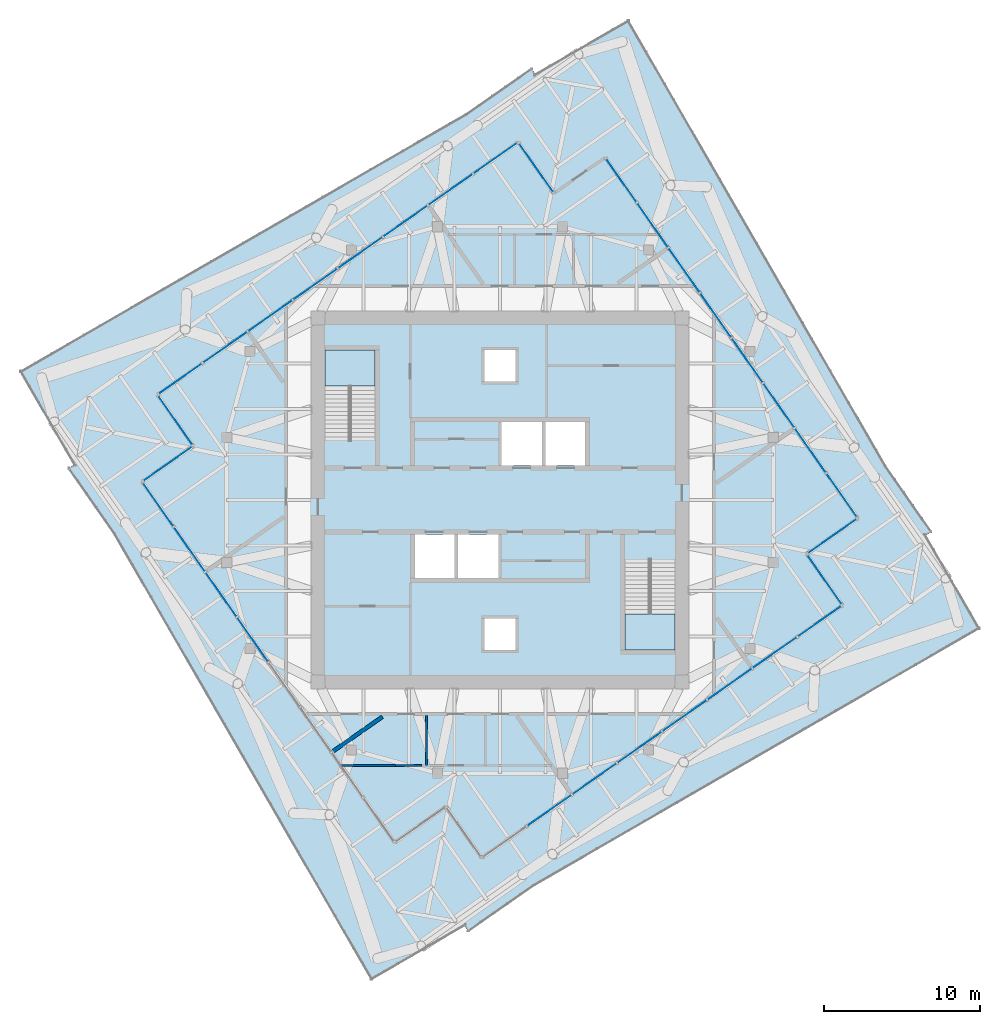
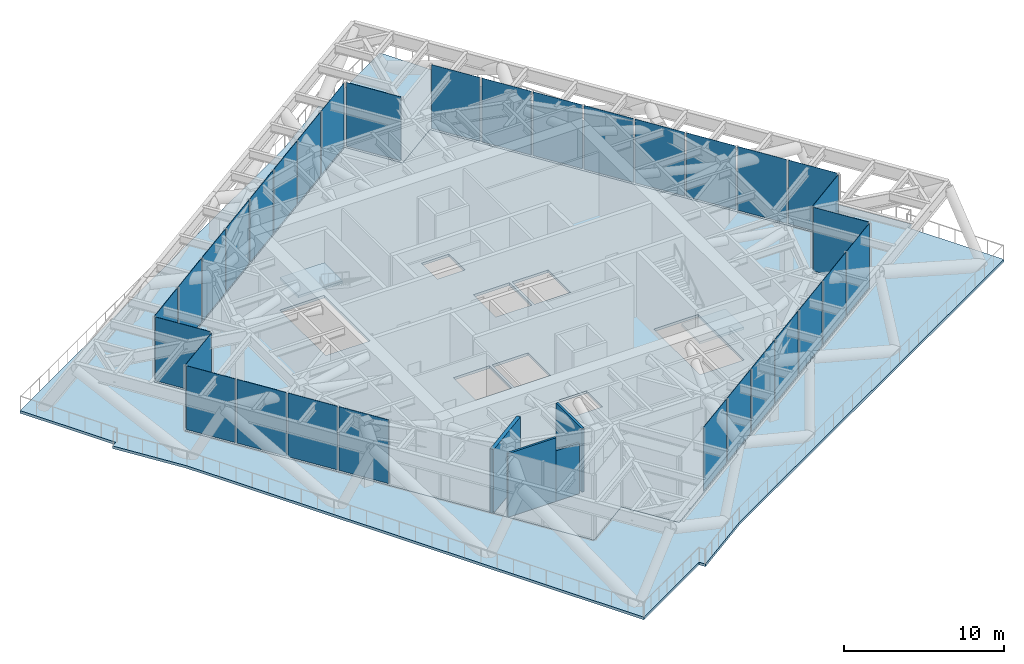
# One storey, part 7 of 16: 32 plates, 4 slabs, 4 walls, 11 elements without a shape of their own.
"""IFC4 building model written with IfcOpenShell, lengths in metres."""

import ifcopenshell
import ifcopenshell.guid

model = None  # the IFC model being written
_history = None  # IfcOwnerHistory: only IFC2X3 demands one
_inside = {}  # id of a spatial element -> (the spatial element, [elements in it])
_under = {}  # id of a project, library or spatial element -> (it, [spatial elements below it])
_declared = {}  # id of a project -> (the project, [libraries it declares])
_typed = {}  # id of a type object -> (the type object, [elements of that type])
_made_of = {}  # id of a material, layer set ... -> (it, [elements and type objects made of it])


def new_model(schema):
    """Start an empty IFC model of exactly this schema.

    Asked for "IFC4X3", IfcOpenShell would pick the latest addendum, in which some entities
    have other attributes; the version numbers below select the first issue.
    IFC2X3 requires an IfcOwnerHistory on every rooted entity: one is made here for all.
    """
    global model, _history
    if schema == "IFC4X3":
        model = ifcopenshell.file(schema_version=(4, 3, 0, 0))
    else:
        model = ifcopenshell.file(schema=schema)
    _inside.clear()
    _under.clear()
    _declared.clear()
    _typed.clear()
    _made_of.clear()
    _history = None
    if model.schema == "IFC2X3":
        org = make("IfcOrganization", Name="unknown")
        user = make(
            "IfcPersonAndOrganization",
            ThePerson=make("IfcPerson", FamilyName="unknown"),
            TheOrganization=org,
        )
        app = make(
            "IfcApplication",
            ApplicationDeveloper=org,
            Version="unknown",
            ApplicationFullName="unknown",
            ApplicationIdentifier="unknown",
        )
        _history = make(
            "IfcOwnerHistory",
            OwningUser=user,
            OwningApplication=app,
            ChangeAction="ADDED",
            CreationDate=0,
        )
    return model


def make(cls, **values):
    """One entity of the class cls with the attributes given. An attribute that is None is left unset."""
    return model.create_entity(
        cls, **{name: value for name, value in values.items() if value is not None}
    )


def rooted(cls, **values):
    """An entity with a GlobalId (a new one), such as an element, a storey or a relation."""
    return make(cls, GlobalId=ifcopenshell.guid.new(), OwnerHistory=_history, **values)


def si_unit(unit_type, name, prefix=None):
    """IfcSIUnit, for example si_unit("LENGTHUNIT", "METRE", prefix="MILLI")."""
    return make("IfcSIUnit", UnitType=unit_type, Prefix=prefix, Name=name)


def assignment(units):
    """IfcUnitAssignment: the units of a project."""
    return None if units is None else make("IfcUnitAssignment", Units=units)


def point(xyz):
    """IfcCartesianPoint."""
    return None if xyz is None else make("IfcCartesianPoint", Coordinates=xyz)


def direction(xyz):
    """IfcDirection."""
    return None if xyz is None else make("IfcDirection", DirectionRatios=xyz)


def frame(location, z_axis=None, x_axis=None):
    """IfcAxis2Placement3D, a coordinate frame: its origin and axes. An axis left out is left unset."""
    return make(
        "IfcAxis2Placement3D",
        Location=point(location),
        Axis=direction(z_axis),
        RefDirection=direction(x_axis),
    )


def frame_2d(location, x_axis=None):
    """IfcAxis2Placement2D, a coordinate frame in the plane: its origin and x axis."""
    return make(
        "IfcAxis2Placement2D", Location=point(location), RefDirection=direction(x_axis)
    )


def origin():
    """The frame at (0, 0, 0) with its axes left unset."""
    return frame((0.0, 0.0, 0.0))


def origin_2d():
    """The frame at (0, 0) in the plane with its x axis left unset."""
    return frame_2d((0.0, 0.0))


def place(relative_to, where):
    """IfcLocalPlacement: puts the frame where relative to a parent placement (None: the world)."""
    return make(
        "IfcLocalPlacement", PlacementRelTo=relative_to, RelativePlacement=where
    )


def context(
    kind, dimensions, precision=None, world=None, true_north=None, identifier=None
):
    """IfcGeometricRepresentationContext, for example the 3D "Model" context."""
    return make(
        "IfcGeometricRepresentationContext",
        ContextIdentifier=identifier,
        ContextType=kind,
        CoordinateSpaceDimension=dimensions,
        Precision=precision,
        WorldCoordinateSystem=world,
        TrueNorth=true_north,
    )


def subcontext(parent, identifier, kind, view, scale=None):
    """IfcGeometricRepresentationSubContext, for example "Body" below "Model"."""
    return make(
        "IfcGeometricRepresentationSubContext",
        ContextIdentifier=identifier,
        ContextType=kind,
        ParentContext=parent,
        TargetScale=scale,
        TargetView=view,
    )


def project(units=None, contexts=None):
    """IfcProject with its units and contexts."""
    return rooted(
        "IfcProject",
        Name="project",
        RepresentationContexts=contexts,
        UnitsInContext=assignment(units),
    )


def spatial(cls, under=None, at=None, **own):
    """A site, building, storey or space (cls), placed at a placement, below another one or the project."""
    s = rooted(cls, ObjectPlacement=at, **own)
    if under is not None:
        _under.setdefault(under.id(), (under, []))[1].append(s)
    return s


def polyline(points):
    """IfcPolyline through the points."""
    return make("IfcPolyline", Points=[point(p) for p in points])


def profile(cls, at=None, kind="AREA", **sizes):
    """A parametric profile (cls). Its sizes go by their IFC names, for example OverallWidth=200.0."""
    return make(cls, ProfileType=kind, Position=at, **sizes)


def rectangle(**sizes):
    """IfcRectangleProfileDef."""
    return profile("IfcRectangleProfileDef", **sizes)


def outline(outer, holes=None, kind="AREA"):
    """IfcArbitraryClosedProfileDef: a profile drawn as a closed curve; with holes, ...WithVoids."""
    if holes is None:
        return make("IfcArbitraryClosedProfileDef", ProfileType=kind, OuterCurve=outer)
    return make(
        "IfcArbitraryProfileDefWithVoids",
        ProfileType=kind,
        OuterCurve=outer,
        InnerCurves=holes,
    )


def extrude(swept, where, along, depth):
    """IfcExtrudedAreaSolid: the profile swept, set in the frame where, extruded along a direction by depth."""
    return make(
        "IfcExtrudedAreaSolid",
        SweptArea=swept,
        Position=where,
        ExtrudedDirection=direction(along),
        Depth=depth,
    )


def shape(context_of_items, identifier, shape_type, items):
    """IfcShapeRepresentation: the items that make up one representation, for example the "Body"."""
    return make(
        "IfcShapeRepresentation",
        ContextOfItems=context_of_items,
        RepresentationIdentifier=identifier,
        RepresentationType=shape_type,
        Items=items,
    )


def material(Name=None, Category=None):
    """IfcMaterial."""
    return make("IfcMaterial", Name=Name, Category=Category)


def layer(
    of_material, thickness, ventilated=None, Name=None, Category=None, Priority=None
):
    """IfcMaterialLayer: one layer of a wall or slab, of a material (None: an air gap)."""
    return make(
        "IfcMaterialLayer",
        Material=of_material,
        LayerThickness=thickness,
        IsVentilated=ventilated,
        Name=Name,
        Category=Category,
        Priority=Priority,
    )


def layer_set(layers, Name=None):
    """IfcMaterialLayerSet."""
    return make("IfcMaterialLayerSet", MaterialLayers=layers, LayerSetName=Name)


def made_of(thing, what):
    """Note that an element or type object is made of a material, layer set ...; save() writes the relation."""
    if what is not None:
        _made_of.setdefault(what.id(), (what, []))[1].append(thing)
    return thing


def type_object(cls, material=None, **own):
    """A type object (cls), such as IfcWallType, which elements share."""
    return made_of(rooted(cls, **own), material)


def element(
    cls,
    number,
    at=None,
    inside=None,
    cuts=None,
    type_object=None,
    material=None,
    context=None,
    identifier="Body",
    shape_type=None,
    held_by="IfcProductDefinitionShape",
    body=None,
    shapes=None,
    **own,
):
    """One element of the class cls, such as IfcWall. Its Tag is "e" and its number.

    at: its placement. inside: the storey or other place that contains it. cuts: it is an
    opening in that element (IfcRelVoidsElement). A single representation is given by context,
    identifier, shape_type and body (its items); several are given by shapes. held_by: the class
    of the entity that holds the representations. save() writes the other relations.
    """
    e = rooted(cls, Tag="e%d" % number, ObjectPlacement=at, **own)
    if body is not None:
        shapes = [shape(context, identifier, shape_type, body)]
    if shapes is not None:
        e.Representation = make(held_by, Representations=shapes)
    if inside is not None:
        _inside.setdefault(inside.id(), (inside, []))[1].append(e)
    if cuts is not None:
        rooted(
            "IfcRelVoidsElement", RelatingBuildingElement=cuts, RelatedOpeningElement=e
        )
    if type_object is not None:
        _typed.setdefault(type_object.id(), (type_object, []))[1].append(e)
    return made_of(e, material)


def aggregate(whole, parts):
    """IfcRelAggregates: a whole, such as a stair, and the parts it consists of."""
    return rooted("IfcRelAggregates", RelatingObject=whole, RelatedObjects=parts)


def save(model, path):
    """Write the relations noted so far, then the file.

    IfcRelAggregates (storeys below a building ...), IfcRelContainedInSpatialStructure (elements
    in a storey), IfcRelDefinesByType, IfcRelAssociatesMaterial and IfcRelDeclares: one each for
    every whole, place, type object, material and project.
    """
    for whole, parts in _under.values():
        aggregate(whole, parts)
    for where, things in _inside.values():
        rooted(
            "IfcRelContainedInSpatialStructure",
            RelatedElements=things,
            RelatingStructure=where,
        )
    for kind, things in _typed.values():
        rooted("IfcRelDefinesByType", RelatedObjects=things, RelatingType=kind)
    for what, things in _made_of.values():
        rooted("IfcRelAssociatesMaterial", RelatedObjects=things, RelatingMaterial=what)
    for by, libraries in _declared.values():
        rooted("IfcRelDeclares", RelatingContext=by, RelatedDefinitions=libraries)
    model.write(path)


model = new_model("IFC4")

# Units and contexts
model_context = context("Model", 3, precision=1e-05, world=origin(), true_north=direction((0.0, 1.0)))
body_context = subcontext(model_context, "Body", "Model", "MODEL_VIEW")
ifc_project = project(units=[si_unit("LENGTHUNIT", "METRE"), si_unit("AREAUNIT", "SQUARE_METRE"), si_unit("VOLUMEUNIT", "CUBIC_METRE"), si_unit("PLANEANGLEUNIT", "RADIAN"), si_unit("MASSUNIT", "GRAM", prefix="KILO")], contexts=[model_context])

# Site, building, storey
site_placement = place(None, origin())
site = spatial("IfcSite", under=ifc_project, at=site_placement, CompositionType="ELEMENT")
building_placement = place(site_placement, origin())
building = spatial("IfcBuilding", under=site, at=building_placement, Name="Torsade Residences", CompositionType="ELEMENT")
storey_placement = place(building_placement, frame((0.0, 0.0, 235.39990234375)))
storey = spatial("IfcBuildingStorey", under=building, at=storey_placement, Name="L65", CompositionType="ELEMENT", Elevation=235.39990234375)

# Curtain wall, plates
ifc_material_1 = material(Name="Aluminium and glass", Category="aluminium")
curtain_wall_type = type_object("IfcCurtainWallType", Name="TRANSFER LEVEL CURTAIN WALL HIGH ZONE", PredefinedType="NOTDEFINED", material=ifc_material_1)
curtain_wall_1_placement = place(storey_placement, origin())
curtain_wall_1 = element("IfcCurtainWall", 1, at=curtain_wall_1_placement, inside=storey, type_object=curtain_wall_type, Name="Curtain wall L65 face 1", PredefinedType="NOTDEFINED")
ifc_material_2 = material(Name="Laminated glass", Category="glass")
ifc_layer_1 = layer(ifc_material_2, 0.02392578125)
ifc_layer_set_1 = layer_set([ifc_layer_1], Name="Laminated glass")
plate_type = type_object("IfcPlateType", Name="CLEAR GLASS PANEL", PredefinedType="CURTAIN_PANEL", material=ifc_layer_set_1)
plate_1_placement = place(storey_placement, frame((43.162841796875, 10.11865234375, 0.14013671875), z_axis=(0.0, 0.0, 1.0), x_axis=(0.819152028472, 0.57357645894, 0.0)))
plate_1 = element("IfcPlate", 2, at=plate_1_placement, type_object=plate_type, Name="Panel 2", PredefinedType="CURTAIN_PANEL", context=body_context, shape_type="SweptSolid", body=[
    extrude(rectangle(XDim=3.405029296875, YDim=0.02392578125, at=origin_2d()), origin(), (0.0, 0.0, 1.0), 4.860107421875),
])
plate_2_placement = place(storey_placement, frame((46.050537109375, 12.140625, 0.14013671875), z_axis=(0.0, 0.0, 1.0), x_axis=(0.819152028472, 0.57357645894, 0.0)))
plate_2 = element("IfcPlate", 3, at=plate_2_placement, type_object=plate_type, Name="Panel 3", PredefinedType="CURTAIN_PANEL", context=body_context, shape_type="SweptSolid", body=[
    extrude(rectangle(XDim=3.405029296875, YDim=0.02392578125, at=origin_2d()), origin(), (0.0, 0.0, 1.0), 4.860107421875),
])
plate_3_placement = place(storey_placement, frame((48.93798828125, 14.162353515625, 0.14013671875), z_axis=(0.0, 0.0, 1.0), x_axis=(0.819152028472, 0.57357645894, 0.0)))
plate_3 = element("IfcPlate", 4, at=plate_3_placement, type_object=plate_type, Name="Panel 4", PredefinedType="CURTAIN_PANEL", context=body_context, shape_type="SweptSolid", body=[
    extrude(rectangle(XDim=3.405029296875, YDim=0.02392578125, at=origin_2d()), origin(), (0.0, 0.0, 1.0), 4.860107421875),
])
plate_4_placement = place(storey_placement, frame((51.825439453125, 16.184326171875, 0.14013671875), z_axis=(0.0, 0.0, 1.0), x_axis=(0.819152028472, 0.57357645894, 0.0)))
plate_4 = element("IfcPlate", 5, at=plate_4_placement, type_object=plate_type, Name="Panel 5", PredefinedType="CURTAIN_PANEL", context=body_context, shape_type="SweptSolid", body=[
    extrude(rectangle(XDim=3.405029296875, YDim=0.02392578125, at=origin_2d()), origin(), (0.0, 0.0, 1.0), 4.860107421875),
])
plate_5_placement = place(storey_placement, frame((54.712890625, 18.2060546875, 0.14013671875), z_axis=(0.0, 0.0, 1.0), x_axis=(0.819152028472, 0.57357645894, 0.0)))
plate_5 = element("IfcPlate", 6, at=plate_5_placement, type_object=plate_type, Name="Panel 6", PredefinedType="CURTAIN_PANEL", context=body_context, shape_type="SweptSolid", body=[
    extrude(rectangle(XDim=3.405029296875, YDim=0.02392578125, at=origin_2d()), origin(), (0.0, 0.0, 1.0), 4.860107421875),
])
plate_6_placement = place(storey_placement, frame((57.6005859375, 20.22802734375, 0.14013671875), z_axis=(0.0, 0.0, 1.0), x_axis=(0.819152028472, 0.57357645894, 0.0)))
plate_6 = element("IfcPlate", 7, at=plate_6_placement, type_object=plate_type, Name="Panel 7", PredefinedType="CURTAIN_PANEL", context=body_context, shape_type="SweptSolid", body=[
    extrude(rectangle(XDim=3.405029296875, YDim=0.02392578125, at=origin_2d()), origin(), (0.0, 0.0, 1.0), 4.860107421875),
])
plate_7_placement = place(storey_placement, frame((60.46337890625, 22.232666015625, 0.14013671875), z_axis=(0.0, 0.0, 1.0), x_axis=(0.819152028472, 0.57357645894, 0.0)))
plate_7 = element("IfcPlate", 8, at=plate_7_placement, type_object=plate_type, Name="Panel 8", PredefinedType="CURTAIN_PANEL", context=body_context, shape_type="SweptSolid", body=[
    extrude(rectangle(XDim=3.344970703125, YDim=0.02392578125, at=origin_2d()), origin(), (0.0, 0.0, 1.0), 4.860107421875),
])
aggregate(curtain_wall_1, [plate_1, plate_2, plate_3, plate_4, plate_5, plate_6, plate_7])

# Curtain wall, plate
curtain_wall_2_placement = place(storey_placement, origin())
curtain_wall_2 = element("IfcCurtainWall", 9, at=curtain_wall_2_placement, inside=storey, type_object=curtain_wall_type, Name="Curtain wall L65 face 2", PredefinedType="NOTDEFINED")
plate_8_placement = place(storey_placement, frame((60.78466796875, 24.899169921875, 0.14013671875), z_axis=(0.0, 0.0, 1.0), x_axis=(-0.573576332112, 0.819152117278, 0.0)))
plate_8 = element("IfcPlate", 10, at=plate_8_placement, type_object=plate_type, Name="Panel 1", PredefinedType="CURTAIN_PANEL", context=body_context, shape_type="SweptSolid", body=[
    extrude(rectangle(XDim=3.760009765625, YDim=0.02392578125, at=origin_2d()), origin(), (0.0, 0.0, 1.0), 4.860107421875),
])
aggregate(curtain_wall_2, [plate_8])

curtain_wall_3_placement = place(storey_placement, origin())
curtain_wall_3 = element("IfcCurtainWall", 11, at=curtain_wall_3_placement, inside=storey, type_object=curtain_wall_type, Name="Curtain wall L65 face 3", PredefinedType="NOTDEFINED")
plate_9_placement = place(storey_placement, frame((61.27587890625, 27.6845703125, 0.14013671875), z_axis=(0.0, 0.0, 1.0), x_axis=(0.819151999811, 0.573576499872, 0.0)))
plate_9 = element("IfcPlate", 12, at=plate_9_placement, type_object=plate_type, Name="Panel 1", PredefinedType="CURTAIN_PANEL", context=body_context, shape_type="SweptSolid", body=[
    extrude(rectangle(XDim=3.760009765625, YDim=0.02392578125, at=origin_2d()), origin(), (0.0, 0.0, 1.0), 4.860107421875),
])
aggregate(curtain_wall_3, [plate_9])

# Curtain wall, plates
curtain_wall_4_placement = place(storey_placement, origin())
curtain_wall_4 = element("IfcCurtainWall", 13, at=curtain_wall_4_placement, inside=storey, type_object=curtain_wall_type, Name="Curtain wall L65 face 4", PredefinedType="NOTDEFINED")
plate_10_placement = place(storey_placement, frame((61.885986328125, 30.300048828125, 0.14013671875), z_axis=(0.0, 0.0, 1.0), x_axis=(-0.57357645894, 0.819152028472, 0.0)))
plate_10 = element("IfcPlate", 14, at=plate_10_placement, type_object=plate_type, Name="Panel 1", PredefinedType="CURTAIN_PANEL", context=body_context, shape_type="SweptSolid", body=[
    extrude(rectangle(XDim=3.344970703125, YDim=0.02392578125, at=origin_2d()), origin(), (0.0, 0.0, 1.0), 4.860107421875),
])
plate_11_placement = place(storey_placement, frame((59.88134765625, 33.162841796875, 0.14013671875), z_axis=(0.0, 0.0, 1.0), x_axis=(-0.57357645894, 0.819152028472, 0.0)))
plate_11 = element("IfcPlate", 15, at=plate_11_placement, type_object=plate_type, Name="Panel 2", PredefinedType="CURTAIN_PANEL", context=body_context, shape_type="SweptSolid", body=[
    extrude(rectangle(XDim=3.405029296875, YDim=0.02392578125, at=origin_2d()), origin(), (0.0, 0.0, 1.0), 4.860107421875),
])
plate_12_placement = place(storey_placement, frame((57.859375, 36.050537109375, 0.14013671875), z_axis=(0.0, 0.0, 1.0), x_axis=(-0.57357645894, 0.819152028472, 0.0)))
plate_12 = element("IfcPlate", 16, at=plate_12_placement, type_object=plate_type, Name="Panel 3", PredefinedType="CURTAIN_PANEL", context=body_context, shape_type="SweptSolid", body=[
    extrude(rectangle(XDim=3.405029296875, YDim=0.02392578125, at=origin_2d()), origin(), (0.0, 0.0, 1.0), 4.860107421875),
])
plate_13_placement = place(storey_placement, frame((55.837646484375, 38.93798828125, 0.14013671875), z_axis=(0.0, 0.0, 1.0), x_axis=(-0.57357645894, 0.819152028472, 0.0)))
plate_13 = element("IfcPlate", 17, at=plate_13_placement, type_object=plate_type, Name="Panel 4", PredefinedType="CURTAIN_PANEL", context=body_context, shape_type="SweptSolid", body=[
    extrude(rectangle(XDim=3.405029296875, YDim=0.02392578125, at=origin_2d()), origin(), (0.0, 0.0, 1.0), 4.860107421875),
])
plate_14_placement = place(storey_placement, frame((53.815673828125, 41.825439453125, 0.14013671875), z_axis=(0.0, 0.0, 1.0), x_axis=(-0.57357645894, 0.819152028472, 0.0)))
plate_14 = element("IfcPlate", 18, at=plate_14_placement, type_object=plate_type, Name="Panel 5", PredefinedType="CURTAIN_PANEL", context=body_context, shape_type="SweptSolid", body=[
    extrude(rectangle(XDim=3.405029296875, YDim=0.02392578125, at=origin_2d()), origin(), (0.0, 0.0, 1.0), 4.860107421875),
])
plate_15_placement = place(storey_placement, frame((51.7939453125, 44.712890625, 0.14013671875), z_axis=(0.0, 0.0, 1.0), x_axis=(-0.57357645894, 0.819152028472, 0.0)))
plate_15 = element("IfcPlate", 19, at=plate_15_placement, type_object=plate_type, Name="Panel 6", PredefinedType="CURTAIN_PANEL", context=body_context, shape_type="SweptSolid", body=[
    extrude(rectangle(XDim=3.405029296875, YDim=0.02392578125, at=origin_2d()), origin(), (0.0, 0.0, 1.0), 4.860107421875),
])
plate_16_placement = place(storey_placement, frame((49.77197265625, 47.6005859375, 0.14013671875), z_axis=(0.0, 0.0, 1.0), x_axis=(-0.57357645894, 0.819152028472, 0.0)))
plate_16 = element("IfcPlate", 20, at=plate_16_placement, type_object=plate_type, Name="Panel 7", PredefinedType="CURTAIN_PANEL", context=body_context, shape_type="SweptSolid", body=[
    extrude(rectangle(XDim=3.405029296875, YDim=0.02392578125, at=origin_2d()), origin(), (0.0, 0.0, 1.0), 4.860107421875),
])
plate_17_placement = place(storey_placement, frame((47.767333984375, 50.46337890625, 0.14013671875), z_axis=(0.0, 0.0, 1.0), x_axis=(-0.57357645894, 0.819152028472, 0.0)))
plate_17 = element("IfcPlate", 21, at=plate_17_placement, type_object=plate_type, Name="Panel 8", PredefinedType="CURTAIN_PANEL", context=body_context, shape_type="SweptSolid", body=[
    extrude(rectangle(XDim=3.344970703125, YDim=0.02392578125, at=origin_2d()), origin(), (0.0, 0.0, 1.0), 4.860107421875),
])
aggregate(curtain_wall_4, [plate_10, plate_11, plate_12, plate_13, plate_14, plate_15, plate_16, plate_17])

# Curtain wall, plate
curtain_wall_5_placement = place(storey_placement, origin())
curtain_wall_5 = element("IfcCurtainWall", 22, at=curtain_wall_5_placement, inside=storey, type_object=curtain_wall_type, Name="Curtain wall L65 face 6", PredefinedType="NOTDEFINED")
plate_18_placement = place(storey_placement, frame((42.3154296875, 51.27587890625, 0.14013671875), z_axis=(0.0, 0.0, 1.0), x_axis=(-0.573576499872, 0.819151999811, 0.0)))
plate_18 = element("IfcPlate", 23, at=plate_18_placement, type_object=plate_type, Name="Panel 1", PredefinedType="CURTAIN_PANEL", context=body_context, shape_type="SweptSolid", body=[
    extrude(rectangle(XDim=3.760009765625, YDim=0.02392578125, at=origin_2d()), origin(), (0.0, 0.0, 1.0), 4.860107421875),
])
aggregate(curtain_wall_5, [plate_18])

# Curtain wall, plates
curtain_wall_6_placement = place(storey_placement, origin())
curtain_wall_6 = element("IfcCurtainWall", 24, at=curtain_wall_6_placement, inside=storey, type_object=curtain_wall_type, Name="Curtain wall L65 face 7", PredefinedType="NOTDEFINED")
plate_19_placement = place(storey_placement, frame((39.699951171875, 51.885986328125, 0.14013671875), z_axis=(0.0, 0.0, 1.0), x_axis=(-0.819152028472, -0.57357645894, 0.0)))
plate_19 = element("IfcPlate", 25, at=plate_19_placement, type_object=plate_type, Name="Panel 1", PredefinedType="CURTAIN_PANEL", context=body_context, shape_type="SweptSolid", body=[
    extrude(rectangle(XDim=3.344970703125, YDim=0.02392578125, at=origin_2d()), origin(), (0.0, 0.0, 1.0), 4.860107421875),
])
plate_20_placement = place(storey_placement, frame((36.837158203125, 49.88134765625, 0.14013671875), z_axis=(0.0, 0.0, 1.0), x_axis=(-0.819152028472, -0.57357645894, 0.0)))
plate_20 = element("IfcPlate", 26, at=plate_20_placement, type_object=plate_type, Name="Panel 2", PredefinedType="CURTAIN_PANEL", context=body_context, shape_type="SweptSolid", body=[
    extrude(rectangle(XDim=3.405029296875, YDim=0.02392578125, at=origin_2d()), origin(), (0.0, 0.0, 1.0), 4.860107421875),
])
plate_21_placement = place(storey_placement, frame((33.949462890625, 47.859375, 0.14013671875), z_axis=(0.0, 0.0, 1.0), x_axis=(-0.819152028472, -0.57357645894, 0.0)))
plate_21 = element("IfcPlate", 27, at=plate_21_placement, type_object=plate_type, Name="Panel 3", PredefinedType="CURTAIN_PANEL", context=body_context, shape_type="SweptSolid", body=[
    extrude(rectangle(XDim=3.405029296875, YDim=0.02392578125, at=origin_2d()), origin(), (0.0, 0.0, 1.0), 4.860107421875),
])
plate_22_placement = place(storey_placement, frame((31.06201171875, 45.837646484375, 0.14013671875), z_axis=(0.0, 0.0, 1.0), x_axis=(-0.819152028472, -0.57357645894, 0.0)))
plate_22 = element("IfcPlate", 28, at=plate_22_placement, type_object=plate_type, Name="Panel 4", PredefinedType="CURTAIN_PANEL", context=body_context, shape_type="SweptSolid", body=[
    extrude(rectangle(XDim=3.405029296875, YDim=0.02392578125, at=origin_2d()), origin(), (0.0, 0.0, 1.0), 4.860107421875),
])
plate_23_placement = place(storey_placement, frame((28.174560546875, 43.815673828125, 0.14013671875), z_axis=(0.0, 0.0, 1.0), x_axis=(-0.819152028472, -0.57357645894, 0.0)))
plate_23 = element("IfcPlate", 29, at=plate_23_placement, type_object=plate_type, Name="Panel 5", PredefinedType="CURTAIN_PANEL", context=body_context, shape_type="SweptSolid", body=[
    extrude(rectangle(XDim=3.405029296875, YDim=0.02392578125, at=origin_2d()), origin(), (0.0, 0.0, 1.0), 4.860107421875),
])
plate_24_placement = place(storey_placement, frame((25.287109375, 41.7939453125, 0.14013671875), z_axis=(0.0, 0.0, 1.0), x_axis=(-0.819152028472, -0.57357645894, 0.0)))
plate_24 = element("IfcPlate", 30, at=plate_24_placement, type_object=plate_type, Name="Panel 6", PredefinedType="CURTAIN_PANEL", context=body_context, shape_type="SweptSolid", body=[
    extrude(rectangle(XDim=3.405029296875, YDim=0.02392578125, at=origin_2d()), origin(), (0.0, 0.0, 1.0), 4.860107421875),
])
plate_25_placement = place(storey_placement, frame((22.3994140625, 39.77197265625, 0.14013671875), z_axis=(0.0, 0.0, 1.0), x_axis=(-0.819152028472, -0.57357645894, 0.0)))
plate_25 = element("IfcPlate", 31, at=plate_25_placement, type_object=plate_type, Name="Panel 7", PredefinedType="CURTAIN_PANEL", context=body_context, shape_type="SweptSolid", body=[
    extrude(rectangle(XDim=3.405029296875, YDim=0.02392578125, at=origin_2d()), origin(), (0.0, 0.0, 1.0), 4.860107421875),
])
plate_26_placement = place(storey_placement, frame((19.53662109375, 37.767333984375, 0.14013671875), z_axis=(0.0, 0.0, 1.0), x_axis=(-0.819152028472, -0.57357645894, 0.0)))
plate_26 = element("IfcPlate", 32, at=plate_26_placement, type_object=plate_type, Name="Panel 8", PredefinedType="CURTAIN_PANEL", context=body_context, shape_type="SweptSolid", body=[
    extrude(rectangle(XDim=3.344970703125, YDim=0.02392578125, at=origin_2d()), origin(), (0.0, 0.0, 1.0), 4.860107421875),
])
aggregate(curtain_wall_6, [plate_19, plate_20, plate_21, plate_22, plate_23, plate_24, plate_25, plate_26])

# Curtain wall, plate
curtain_wall_7_placement = place(storey_placement, origin())
curtain_wall_7 = element("IfcCurtainWall", 33, at=curtain_wall_7_placement, inside=storey, type_object=curtain_wall_type, Name="Curtain wall L65 face 8", PredefinedType="NOTDEFINED")
plate_27_placement = place(storey_placement, frame((19.21533203125, 35.100830078125, 0.14013671875), z_axis=(0.0, 0.0, 1.0), x_axis=(0.573576332112, -0.819152117278, 0.0)))
plate_27 = element("IfcPlate", 34, at=plate_27_placement, type_object=plate_type, Name="Panel 1", PredefinedType="CURTAIN_PANEL", context=body_context, shape_type="SweptSolid", body=[
    extrude(rectangle(XDim=3.760009765625, YDim=0.02392578125, at=origin_2d()), origin(), (0.0, 0.0, 1.0), 4.860107421875),
])
aggregate(curtain_wall_7, [plate_27])

curtain_wall_8_placement = place(storey_placement, origin())
curtain_wall_8 = element("IfcCurtainWall", 35, at=curtain_wall_8_placement, inside=storey, type_object=curtain_wall_type, Name="Curtain wall L65 face 9", PredefinedType="NOTDEFINED")
plate_28_placement = place(storey_placement, frame((18.72412109375, 32.3154296875, 0.14013671875), z_axis=(0.0, 0.0, 1.0), x_axis=(-0.819151999811, -0.573576499872, 0.0)))
plate_28 = element("IfcPlate", 36, at=plate_28_placement, type_object=plate_type, Name="Panel 1", PredefinedType="CURTAIN_PANEL", context=body_context, shape_type="SweptSolid", body=[
    extrude(rectangle(XDim=3.760009765625, YDim=0.02392578125, at=origin_2d()), origin(), (0.0, 0.0, 1.0), 4.860107421875),
])
aggregate(curtain_wall_8, [plate_28])

# Curtain wall, plates
curtain_wall_9_placement = place(storey_placement, origin())
curtain_wall_9 = element("IfcCurtainWall", 37, at=curtain_wall_9_placement, inside=storey, type_object=curtain_wall_type, Name="Curtain wall L65 face 10", PredefinedType="NOTDEFINED")
plate_29_placement = place(storey_placement, frame((18.114013671875, 29.699951171875, 0.14013671875), z_axis=(0.0, 0.0, 1.0), x_axis=(0.57357645894, -0.819152028472, 0.0)))
plate_29 = element("IfcPlate", 38, at=plate_29_placement, type_object=plate_type, Name="Panel 1", PredefinedType="CURTAIN_PANEL", context=body_context, shape_type="SweptSolid", body=[
    extrude(rectangle(XDim=3.344970703125, YDim=0.02392578125, at=origin_2d()), origin(), (0.0, 0.0, 1.0), 4.860107421875),
])
plate_30_placement = place(storey_placement, frame((20.11865234375, 26.837158203125, 0.14013671875), z_axis=(0.0, 0.0, 1.0), x_axis=(0.57357645894, -0.819152028472, 0.0)))
plate_30 = element("IfcPlate", 39, at=plate_30_placement, type_object=plate_type, Name="Panel 2", PredefinedType="CURTAIN_PANEL", context=body_context, shape_type="SweptSolid", body=[
    extrude(rectangle(XDim=3.405029296875, YDim=0.02392578125, at=origin_2d()), origin(), (0.0, 0.0, 1.0), 4.860107421875),
])
plate_31_placement = place(storey_placement, frame((22.140625, 23.949462890625, 0.14013671875), z_axis=(0.0, 0.0, 1.0), x_axis=(0.57357645894, -0.819152028472, 0.0)))
plate_31 = element("IfcPlate", 40, at=plate_31_placement, type_object=plate_type, Name="Panel 3", PredefinedType="CURTAIN_PANEL", context=body_context, shape_type="SweptSolid", body=[
    extrude(rectangle(XDim=3.405029296875, YDim=0.02392578125, at=origin_2d()), origin(), (0.0, 0.0, 1.0), 4.860107421875),
])
plate_32_placement = place(storey_placement, frame((24.162353515625, 21.06201171875, 0.14013671875), z_axis=(0.0, 0.0, 1.0), x_axis=(0.57357645894, -0.819152028472, 0.0)))
plate_32 = element("IfcPlate", 41, at=plate_32_placement, type_object=plate_type, Name="Panel 4", PredefinedType="CURTAIN_PANEL", context=body_context, shape_type="SweptSolid", body=[
    extrude(rectangle(XDim=3.405029296875, YDim=0.02392578125, at=origin_2d()), origin(), (0.0, 0.0, 1.0), 4.860107421875),
])
aggregate(curtain_wall_9, [plate_29, plate_30, plate_31, plate_32])

# Stair, slab
ifc_material_3 = material(Name="Precast concrete 40 MPa", Category="concrete")
stair_type = type_object("IfcStairType", Name="HALF-TURN FIRE STAIR 1500x5000", PredefinedType="HALF_TURN_STAIR", material=ifc_material_3)
stair_1_placement = place(storey_placement, origin())
stair_1 = element("IfcStair", 42, at=stair_1_placement, inside=storey, type_object=stair_type, Name="Stair ST1 L65", PredefinedType="HALF_TURN_STAIR")
ifc_material_4 = material(Name="Precast concrete 40 MPa", Category="concrete")
ifc_layer_2 = layer(ifc_material_4, 0.179931640625)
ifc_layer_set_2 = layer_set([ifc_layer_2], Name="Precast concrete 40 MPa")
slab_type_1 = type_object("IfcSlabType", Name="PRECAST STAIR LANDING 180", PredefinedType="LANDING", material=ifc_layer_set_2)
slab_1_placement = place(storey_placement, frame((0.0, 0.0, 2.320068359375)))
slab_1 = element("IfcSlab", 43, at=slab_1_placement, type_object=slab_type_1, Name="ST1 landing 1", PredefinedType="LANDING", context=body_context, shape_type="SweptSolid", body=[
    extrude(outline(polyline([(28.800048828125, 37.2900390625), (32.0, 37.2900390625), (32.0, 39.60009765625), (28.800048828125, 39.60009765625), (28.800048828125, 37.2900390625)])), origin(), (0.0, 0.0, 1.0), 0.179931640625),
])
aggregate(stair_1, [slab_1])

stair_2_placement = place(storey_placement, origin())
stair_2 = element("IfcStair", 44, at=stair_2_placement, inside=storey, type_object=stair_type, Name="Stair ST2 L65", PredefinedType="HALF_TURN_STAIR")
slab_2_placement = place(storey_placement, frame((0.0, 0.0, 2.320068359375)))
slab_2 = element("IfcSlab", 45, at=slab_2_placement, type_object=slab_type_1, Name="ST2 landing 1", PredefinedType="LANDING", context=body_context, shape_type="SweptSolid", body=[
    extrude(outline(polyline([(48.0, 20.39990234375), (51.199951171875, 20.39990234375), (51.199951171875, 22.7099609375), (48.0, 22.7099609375), (48.0, 20.39990234375)])), origin(), (0.0, 0.0, 1.0), 0.179931640625),
])
aggregate(stair_2, [slab_2])

# Slabs
ifc_material_5 = material(Name="Concrete 40 MPa", Category="concrete")
ifc_layer_3 = layer(ifc_material_5, 0.199951171875)
ifc_layer_set_3 = layer_set([ifc_layer_3], Name="Concrete 40 MPa")
slab_type_2 = type_object("IfcSlabType", Name="TRANSFER FLOOR SLAB 200", PredefinedType="FLOOR", material=ifc_layer_set_3)
slab_3_placement = place(storey_placement, frame((0.0, 0.0, -0.199951171875)))
element("IfcSlab", 46, at=slab_3_placement, inside=storey, type_object=slab_type_2, Name="Floor slab L65", PredefinedType="FLOOR", context=body_context, shape_type="SweptSolid", body=[
    extrude(outline(polyline([(38.831787109375, 7.0859375), (61.931884765625, 23.2607421875), (59.637451171875, 26.537353515625), (62.9140625, 28.831787109375), (46.7392578125, 51.931884765625), (43.462646484375, 49.637451171875), (41.168212890625, 52.9140625), (18.068115234375, 36.7392578125), (20.362548828125, 33.462646484375), (17.0859375, 31.168212890625), (33.2607421875, 8.068115234375), (36.537353515625, 10.362548828125), (38.831787109375, 7.0859375)]), holes=[polyline([(51.199951171875, 26.1201171875), (48.0, 26.1201171875), (48.0, 20.39990234375), (51.199951171875, 20.39990234375), (51.199951171875, 26.1201171875)]), polyline([(45.5, 35.0), (42.89990234375, 35.0), (42.89990234375, 32.199951171875), (45.5, 32.199951171875), (45.5, 35.0)]), polyline([(42.699951171875, 35.0), (40.10009765625, 35.0), (40.10009765625, 32.199951171875), (42.699951171875, 32.199951171875), (42.699951171875, 35.0)]), polyline([(41.0, 22.39990234375), (39.0, 22.39990234375), (39.0, 20.39990234375), (41.0, 20.39990234375), (41.0, 22.39990234375)]), polyline([(41.0, 39.60009765625), (39.0, 39.60009765625), (39.0, 37.60009765625), (41.0, 37.60009765625), (41.0, 39.60009765625)]), polyline([(39.89990234375, 27.800048828125), (37.300048828125, 27.800048828125), (37.300048828125, 25.0), (39.89990234375, 25.0), (39.89990234375, 27.800048828125)]), polyline([(37.10009765625, 27.800048828125), (34.5, 27.800048828125), (34.5, 25.0), (37.10009765625, 25.0), (37.10009765625, 27.800048828125)]), polyline([(32.0, 39.60009765625), (28.800048828125, 39.60009765625), (28.800048828125, 33.8798828125), (32.0, 33.8798828125), (32.0, 39.60009765625)])]), origin(), (0.0, 0.0, 1.0), 0.199951171875),
])
ifc_material_6 = material(Name="Concrete 40 MPa", Category="concrete")
ifc_layer_4 = layer(ifc_material_6, 0.199951171875)
ifc_layer_set_4 = layer_set([ifc_layer_4], Name="Concrete 40 MPa")
slab_type_3 = type_object("IfcSlabType", Name="TRANSFER LEDGE SLAB 200", PredefinedType="ROOF", material=ifc_layer_set_4)
slab_4_placement = place(storey_placement, frame((0.0, 0.0, -0.199951171875)))
element("IfcSlab", 47, at=slab_4_placement, inside=storey, type_object=slab_type_3, Name="Transfer ledge slab L65 south-west", PredefinedType="ROOF", context=body_context, shape_type="SweptSolid", body=[
    extrude(outline(polyline([(31.764404296875, -0.735595703125), (37.741455078125, 2.71533203125), (37.996826171875, 2.3505859375), (42.164306640625, 5.268798828125), (70.735595703125, 21.764404296875), (67.28466796875, 27.741455078125), (67.6494140625, 27.996826171875), (64.731201171875, 32.164306640625), (48.235595703125, 60.735595703125), (42.258544921875, 57.28466796875), (42.003173828125, 57.6494140625), (37.835693359375, 54.731201171875), (9.264404296875, 38.235595703125), (12.71533203125, 32.258544921875), (12.3505859375, 32.003173828125), (15.268798828125, 27.835693359375), (31.764404296875, -0.735595703125)]), holes=[polyline([(61.931884765625, 23.2607421875), (59.637451171875, 26.537353515625), (62.9140625, 28.831787109375), (46.7392578125, 51.931884765625), (43.462646484375, 49.637451171875), (41.168212890625, 52.9140625), (18.068115234375, 36.7392578125), (20.362548828125, 33.462646484375), (17.0859375, 31.168212890625), (33.2607421875, 8.068115234375), (36.537353515625, 10.362548828125), (38.831787109375, 7.0859375), (61.931884765625, 23.2607421875)])]), origin(), (0.0, 0.0, 1.0), 0.199951171875),
])

# Walls
ifc_material_7 = material(Name="Masonry-lined stud party wall", Category="masonry")
ifc_layer_5 = layer(ifc_material_7, 0.25)
ifc_layer_set_5 = layer_set([ifc_layer_5], Name="Masonry-lined stud party wall")
wall_type_1 = type_object("IfcWallType", Name="PARTY WALL 250", PredefinedType="PARTITIONING", material=ifc_layer_set_5)
wall_1_placement = place(storey_placement, frame((29.217041015625, 13.84326171875, 0.0), z_axis=(0.0, 0.0, 1.0), x_axis=(0.819156806092, 0.573569635732, 0.0)))
element("IfcWall", 48, at=wall_1_placement, inside=storey, type_object=wall_type_1, Name="Party wall L65", PredefinedType="PARTITIONING", context=body_context, shape_type="SweptSolid", body=[
    extrude(rectangle(XDim=3.970458984375, YDim=0.25, at=frame_2d((1.9853515625, 0.0))), origin(), (0.0, 0.0, 1.0), 4.85009765625),
])
ifc_material_8 = material(Name="Reinforced blockwork", Category="masonry")
ifc_layer_6 = layer(ifc_material_8, 0.14990234375)
ifc_layer_set_6 = layer_set([ifc_layer_6], Name="Reinforced blockwork")
wall_type_2 = type_object("IfcWallType", Name="SERVICE ROOM WALL 150", PredefinedType="SOLIDWALL", material=ifc_layer_set_6)
wall_2_placement = place(storey_placement, frame((35.29638671875, 13.0, 0.0), z_axis=(0.0, 0.0, 1.0), x_axis=(0.0, 1.0, 0.0)))
element("IfcWall", 49, at=wall_2_placement, inside=storey, type_object=wall_type_2, Name="Service room wall L65", PredefinedType="SOLIDWALL", context=body_context, shape_type="SweptSolid", body=[
    extrude(rectangle(XDim=3.199951171875, YDim=0.14990234375, at=frame_2d((1.60009765625, 0.0))), origin(), (0.0, 0.0, 1.0), 4.85009765625),
])
wall_3_placement = place(storey_placement, frame((35.01171875, 13.0, 0.0), z_axis=(0.0, 0.0, 1.0), x_axis=(-1.0, 0.0, 0.0)))
element("IfcWall", 50, at=wall_3_placement, inside=storey, type_object=wall_type_2, Name="Service room wall L65", PredefinedType="SOLIDWALL", context=body_context, shape_type="SweptSolid", body=[
    extrude(rectangle(XDim=1.690185546875, YDim=0.14990234375, at=frame_2d((0.84521484375, 0.0))), origin(), (0.0, 0.0, 1.0), 3.85009765625),
])
wall_4_placement = place(storey_placement, frame((33.321533203125, 13.0, 0.0), z_axis=(0.0, 0.0, 1.0), x_axis=(-1.0, 0.0, 0.0)))
element("IfcWall", 51, at=wall_4_placement, inside=storey, type_object=wall_type_2, Name="Service room wall L65", PredefinedType="SOLIDWALL", context=body_context, shape_type="SweptSolid", body=[
    extrude(rectangle(XDim=3.465087890625, YDim=0.14990234375, at=frame_2d((1.732421875, 0.0))), origin(), (0.0, 0.0, 1.0), 4.85009765625),
])

save(model, "model.ifc")
